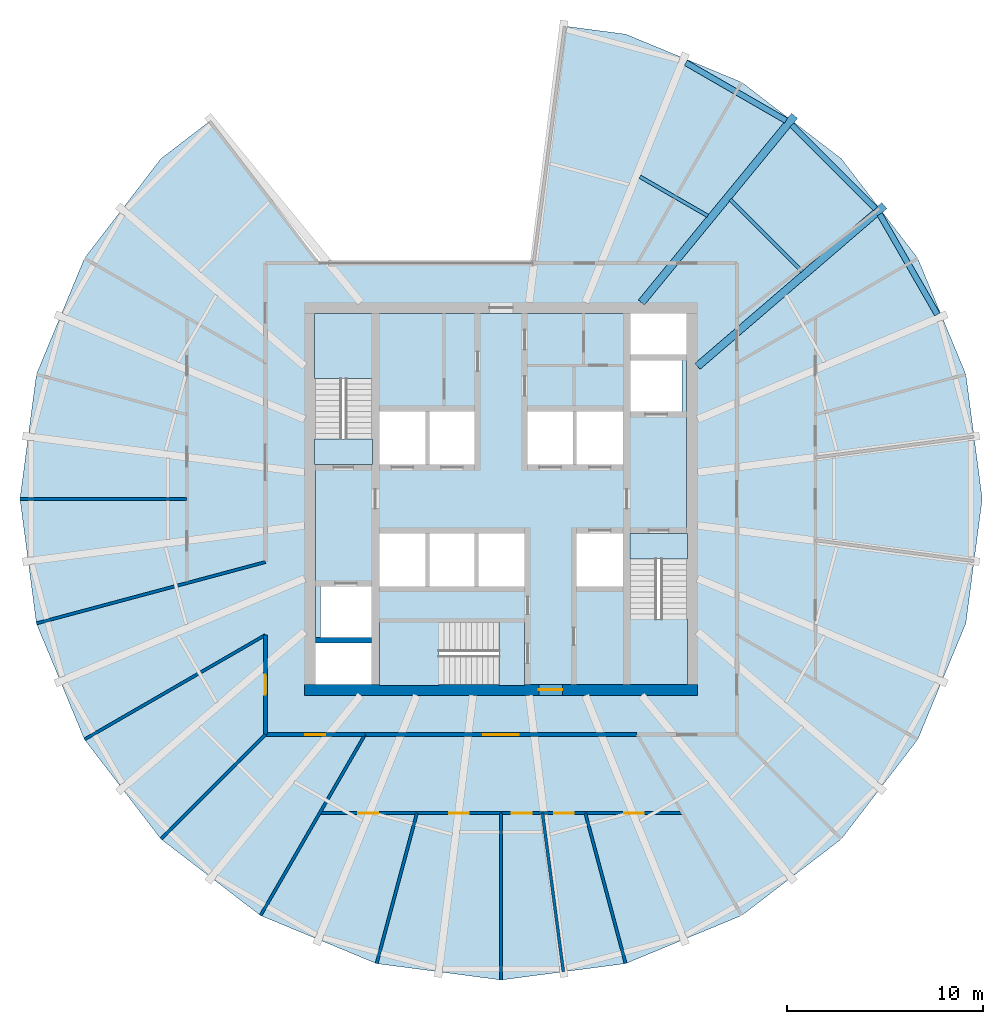
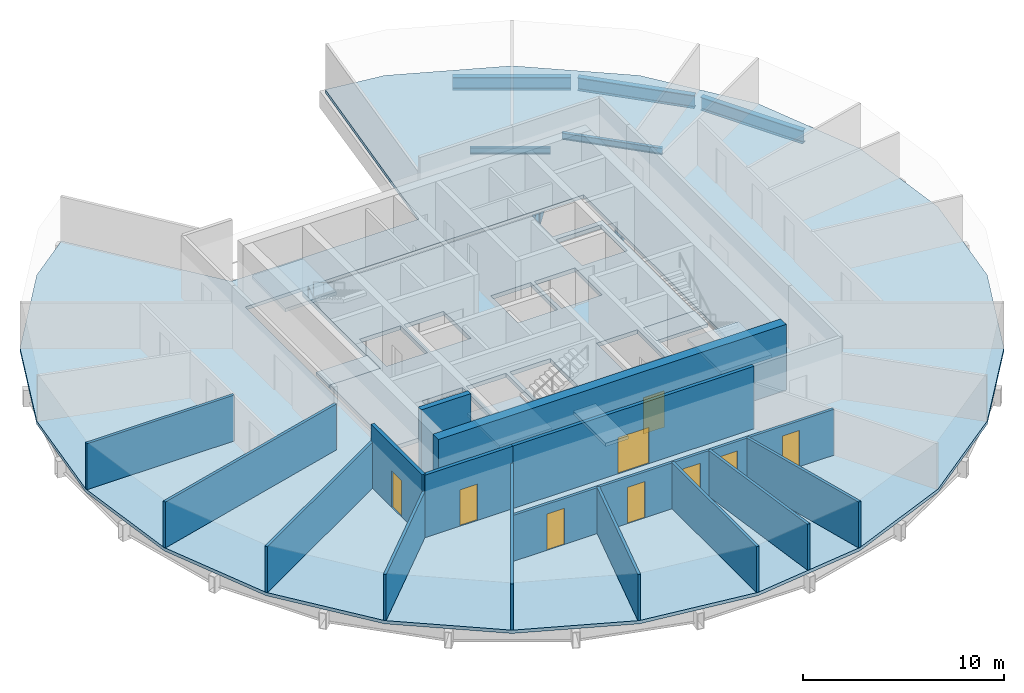
# One storey, part 2 of 6: 15 walls, 9 doors, 8 slabs, 7 beams, 9 openings, 3 elements without a shape of their own.
"""IFC4 building model written with IfcOpenShell, lengths in metres."""

from ifc_helpers import new_model, si_unit, direction, frame, frame_2d, origin, origin_2d, place, context, subcontext, project, spatial, polyline, rectangle, hollow_rectangle, i_section, outline, extrude, material, layer, layer_set, material_profile, profile_set, type_object, element, fill, aggregate, save


model = new_model("IFC4")

# Units and contexts
model_context = context("Model", 3, precision=1e-05, world=origin(), true_north=direction((0.0, 1.0)))
body_context = subcontext(model_context, "Body", "Model", "MODEL_VIEW")
ifc_project = project(units=[si_unit("LENGTHUNIT", "METRE"), si_unit("AREAUNIT", "SQUARE_METRE"), si_unit("VOLUMEUNIT", "CUBIC_METRE"), si_unit("PLANEANGLEUNIT", "RADIAN"), si_unit("MASSUNIT", "GRAM", prefix="KILO")], contexts=[model_context])

# Site, building, storey
site_placement = place(None, origin())
site = spatial("IfcSite", under=ifc_project, at=site_placement, CompositionType="ELEMENT")
building_placement = place(site_placement, origin())
building = spatial("IfcBuilding", under=site, at=building_placement, Name="Golbaran Civic Tower", CompositionType="ELEMENT")
storey_placement = place(building_placement, frame((0.0, 0.0, 110.0)))
storey = spatial("IfcBuildingStorey", under=building, at=storey_placement, Name="L26", CompositionType="ELEMENT", Elevation=110.0)

# Beams
ifc_material_1 = material(Name="Steel S355", Category="steel")
ifc_material_profile_1 = material_profile(ifc_material_1, i_section(OverallWidth=0.300048828125, OverallDepth=0.800048828125, WebThickness=0.017578125, FlangeThickness=0.032958984375, FilletRadius=0.030029296875, at=origin_2d()), Name="HEB 800")
ifc_profile_set_1 = profile_set([ifc_material_profile_1], Name="Steel S355")
beam_type_1 = type_object("IfcBeamType", Name="EDGE BEAM HEB 800", PredefinedType="BEAM", material=ifc_profile_set_1)
beam_1_placement = place(storey_placement, frame((22.2119140625, 9.389404296875, -0.60009765625), z_axis=(-0.498857735231, 0.866683887009, 0.0), x_axis=(-0.866683887009, -0.498857735231, 0.0)))
element("IfcBeam", 1, at=beam_1_placement, inside=storey, type_object=beam_type_1, Name="Edge beam 22.50 L26", PredefinedType="BEAM", context=body_context, shape_type="SweptSolid", body=[
    extrude(i_section(OverallWidth=0.300048828125, OverallDepth=0.800048828125, WebThickness=0.017578125, FlangeThickness=0.032958984375, FilletRadius=0.030029296875, at=origin_2d()), origin(), (0.0, 0.0, 1.0), 5.884033203125),
])
beam_2_placement = place(storey_placement, frame((19.0576171875, 14.775390625, -0.60009765625), z_axis=(-0.706742408007, 0.707470966701, 0.0), x_axis=(-0.707470966701, -0.706742408007, 0.0)))
element("IfcBeam", 2, at=beam_2_placement, inside=storey, type_object=beam_type_1, Name="Edge beam 37.50 L26", PredefinedType="BEAM", context=body_context, shape_type="SweptSolid", body=[
    extrude(i_section(OverallWidth=0.300048828125, OverallDepth=0.800048828125, WebThickness=0.017578125, FlangeThickness=0.032958984375, FilletRadius=0.030029296875, at=origin_2d()), origin(), (0.0, 0.0, 1.0), 6.03173828125),
])
beam_3_placement = place(storey_placement, frame((14.5087890625, 19.26171875, -0.60009765625), z_axis=(-0.866273170257, 0.499570610118, 0.0), x_axis=(-0.499570610118, -0.866273170257, 0.0)))
element("IfcBeam", 3, at=beam_3_placement, inside=storey, type_object=beam_type_1, Name="Edge beam 52.50 L26", PredefinedType="BEAM", context=body_context, shape_type="SweptSolid", body=[
    extrude(i_section(OverallWidth=0.300048828125, OverallDepth=0.800048828125, WebThickness=0.017578125, FlangeThickness=0.032958984375, FilletRadius=0.030029296875, at=origin_2d()), origin(), (0.0, 0.0, 1.0), 5.892822265625),
])
ifc_material_profile_2 = material_profile(ifc_material_1, i_section(OverallWidth=0.179931640625, OverallDepth=0.39990234375, WebThickness=0.008544921875, FlangeThickness=0.013427734375, FilletRadius=0.02099609375, at=origin_2d()), Name="IPE 400")
ifc_profile_set_2 = profile_set([ifc_material_profile_2], Name="Steel S355")
beam_type_2 = type_object("IfcBeamType", Name="FLOOR INFILL BEAM IPE 400", PredefinedType="BEAM", material=ifc_profile_set_2)
beam_4_placement = place(storey_placement, frame((15.33935546875, 11.578369140625, -0.39990234375), z_axis=(-0.707130343951, 0.707083217637, 0.0), x_axis=(-0.707083217637, -0.707130343951, 0.0)))
element("IfcBeam", 4, at=beam_4_placement, inside=storey, type_object=beam_type_2, Name="Infill beam 45.00 L26", PredefinedType="BEAM", context=body_context, shape_type="SweptSolid", body=[
    extrude(i_section(OverallWidth=0.179931640625, OverallDepth=0.39990234375, WebThickness=0.008544921875, FlangeThickness=0.013427734375, FilletRadius=0.02099609375, at=origin_2d()), origin(), (0.0, 0.0, 1.0), 5.1806640625),
])
beam_5_placement = place(storey_placement, frame((10.5263671875, 14.40771484375, -0.39990234375), z_axis=(-0.86602082383, 0.50000793263, 0.0), x_axis=(-0.50000793263, -0.86602082383, 0.0)))
element("IfcBeam", 5, at=beam_5_placement, inside=storey, type_object=beam_type_2, Name="Infill beam 60.00 L26", PredefinedType="BEAM", context=body_context, shape_type="SweptSolid", body=[
    extrude(i_section(OverallWidth=0.179931640625, OverallDepth=0.39990234375, WebThickness=0.008544921875, FlangeThickness=0.013427734375, FilletRadius=0.02099609375, at=origin_2d()), origin(), (0.0, 0.0, 1.0), 3.99755859375),
])
ifc_material_profile_3 = material_profile(ifc_material_1, hollow_rectangle(XDim=0.39990234375, YDim=1.0, WallThickness=0.0400390625, at=origin_2d()), Name="BOX 1000x400x40")
ifc_profile_set_3 = profile_set([ifc_material_profile_3], Name="Steel S355")
beam_type_3 = type_object("IfcBeamType", Name="RADIAL FLOOR BEAM BOX 1000x400x40", PredefinedType="BEAM", material=ifc_profile_set_3)
beam_6_placement = place(storey_placement, frame((10.0, 6.75, -0.7099609375), z_axis=(0.758248875451, 0.651965216003, 0.0), x_axis=(-0.651965216003, 0.758248875451, 0.0)))
element("IfcBeam", 6, at=beam_6_placement, inside=storey, type_object=beam_type_3, Name="Radial beam 37.50 L26", PredefinedType="BEAM", context=body_context, shape_type="SweptSolid", body=[
    extrude(hollow_rectangle(XDim=0.39990234375, YDim=1.0, WallThickness=0.0400390625, at=origin_2d()), origin(), (0.0, 0.0, 1.0), 12.546630859375),
])
beam_7_placement = place(storey_placement, frame((7.142822265625, 10.0, -0.7099609375), z_axis=(0.634290441459, 0.773094842742, 0.0), x_axis=(-0.773094842742, 0.634290441459, 0.0)))
element("IfcBeam", 7, at=beam_7_placement, inside=storey, type_object=beam_type_3, Name="Radial beam 52.50 L26", PredefinedType="BEAM", context=body_context, shape_type="SweptSolid", body=[
    extrude(hollow_rectangle(XDim=0.39990234375, YDim=1.0, WallThickness=0.0400390625, at=origin_2d()), origin(), (0.0, 0.0, 1.0), 12.294677734375),
])

# Slabs
ifc_material_2 = material(Name="Concrete LC30/33 lightweight on steel deck", Category="concrete")
ifc_layer_1 = layer(ifc_material_2, 0.199951171875, Name="Concrete LC30/33 lightweight on steel deck")
ifc_layer_set_1 = layer_set([ifc_layer_1], Name="Concrete LC30/33 lightweight on steel deck")
slab_type_1 = type_object("IfcSlabType", Name="COMPOSITE FLOOR SLAB 200", PredefinedType="FLOOR", material=ifc_layer_set_1)
slab_1_placement = place(storey_placement, frame((0.0, 0.0, -0.199951171875)))
element("IfcSlab", 8, at=slab_1_placement, inside=storey, type_object=slab_type_1, Name="Floor slab L26", PredefinedType="FLOOR", context=body_context, shape_type="SweptSolid", body=[
    extrude(outline(polyline([(17.322265625, -17.322265625), (12.24853515625, -21.21533203125), (6.34033203125, -23.66259765625), (0.0, -24.497314453125), (-6.34033203125, -23.66259765625), (-12.24853515625, -21.21533203125), (-17.322265625, -17.322265625), (-21.21533203125, -12.24853515625), (-23.66259765625, -6.34033203125), (-24.497314453125, 0.0), (-23.66259765625, 6.34033203125), (-21.21533203125, 12.24853515625), (-17.322265625, 17.322265625), (-14.784912109375, 19.269287109375), (-9.207275390625, 12.0), (1.579345703125, 12.0), (3.16943359375, 24.080078125), (6.34033203125, 23.66259765625), (12.24853515625, 21.21533203125), (17.322265625, 17.322265625), (21.21533203125, 12.24853515625), (23.66259765625, 6.34033203125), (24.497314453125, 0.0), (23.66259765625, -6.34033203125), (21.21533203125, -12.24853515625), (17.322265625, -17.322265625)]), holes=[polyline([(-9.72509765625, -9.72509765625), (9.72509765625, -9.72509765625), (9.72509765625, 9.72509765625), (-9.72509765625, 9.72509765625), (-9.72509765625, -9.72509765625)])]), origin(), (0.0, 0.0, 1.0), 0.199951171875),
])
ifc_material_3 = material(Name="Concrete C35/45", Category="concrete")
ifc_layer_2 = layer(ifc_material_3, 0.25, Name="Concrete C35/45")
ifc_layer_set_2 = layer_set([ifc_layer_2], Name="Concrete C35/45")
slab_type_2 = type_object("IfcSlabType", Name="CORE FLOOR SLAB 250", PredefinedType="FLOOR", material=ifc_layer_set_2)
slab_2_placement = place(storey_placement, frame((0.0, 0.0, -0.25)))
element("IfcSlab", 9, at=slab_2_placement, inside=storey, type_object=slab_type_2, Name="Core floor slab L26", PredefinedType="FLOOR", context=body_context, shape_type="SweptSolid", body=[
    extrude(outline(polyline([(6.60009765625, -1.75), (6.60009765625, -9.449951171875), (1.199951171875, -9.449951171875), (1.199951171875, -6.300048828125), (-6.199951171875, -6.300048828125), (-6.199951171875, -9.449951171875), (-6.60009765625, -9.449951171875), (-6.60009765625, -7.35009765625), (-9.449951171875, -7.35009765625), (-9.449951171875, 1.75), (-6.60009765625, 1.75), (-6.60009765625, 9.449951171875), (6.60009765625, 9.449951171875), (6.60009765625, 7.35009765625), (9.449951171875, 7.35009765625), (9.449951171875, -1.75), (6.60009765625, -1.75)]), holes=[polyline([(9.199951171875, 7.050048828125), (6.60009765625, 7.050048828125), (6.60009765625, 4.449951171875), (9.199951171875, 4.449951171875), (9.199951171875, 7.050048828125)]), polyline([(6.199951171875, -1.75), (3.85009765625, -1.75), (3.85009765625, -4.449951171875), (6.199951171875, -4.449951171875), (6.199951171875, -1.75)]), polyline([(6.199951171875, 4.449951171875), (3.85009765625, 4.449951171875), (3.85009765625, 1.75), (6.199951171875, 1.75), (6.199951171875, 4.449951171875)]), polyline([(3.64990234375, 4.449951171875), (1.35009765625, 4.449951171875), (1.35009765625, 1.75), (3.64990234375, 1.75), (3.64990234375, 4.449951171875)]), polyline([(1.199951171875, -1.75), (-1.14990234375, -1.75), (-1.14990234375, -4.449951171875), (1.199951171875, -4.449951171875), (1.199951171875, -1.75)]), polyline([(-1.35009765625, 4.449951171875), (-3.64990234375, 4.449951171875), (-3.64990234375, 1.75), (-1.35009765625, 1.75), (-1.35009765625, 4.449951171875)]), polyline([(-1.35009765625, -1.75), (-3.64990234375, -1.75), (-3.64990234375, -4.449951171875), (-1.35009765625, -4.449951171875), (-1.35009765625, -1.75)]), polyline([(-3.85009765625, -1.75), (-6.199951171875, -1.75), (-6.199951171875, -4.449951171875), (-3.85009765625, -4.449951171875), (-3.85009765625, -1.75)]), polyline([(-3.85009765625, 4.449951171875), (-6.199951171875, 4.449951171875), (-6.199951171875, 1.75), (-3.85009765625, 1.75), (-3.85009765625, 4.449951171875)]), polyline([(-6.60009765625, -4.449951171875), (-9.199951171875, -4.449951171875), (-9.199951171875, -7.050048828125), (-6.60009765625, -7.050048828125), (-6.60009765625, -4.449951171875)])]), origin(), (0.0, 0.0, 1.0), 0.25),
])

# Stair, slab
stair_type_1 = type_object("IfcStairType", Name="EXIT STAIR 2850 x 7700, 4000 RISE", PredefinedType="HALF_TURN_STAIR", material=ifc_material_3)
stair_1_placement = place(storey_placement, origin())
stair_1 = element("IfcStair", 10, at=stair_1_placement, inside=storey, type_object=stair_type_1, Name="Stair S1 L26", PredefinedType="HALF_TURN_STAIR")
ifc_layer_3 = layer(ifc_material_3, 0.199951171875, Name="Concrete C35/45")
ifc_layer_set_3 = layer_set([ifc_layer_3], Name="Concrete C35/45")
slab_type_3 = type_object("IfcSlabType", Name="STAIR LANDING 200", PredefinedType="LANDING", material=ifc_layer_set_3)
slab_3_placement = place(storey_placement, frame((0.0, 0.0, 1.800048828125)))
slab_3 = element("IfcSlab", 11, at=slab_3_placement, type_object=slab_type_3, Name="ST28577-40 landing 1", PredefinedType="LANDING", context=body_context, shape_type="SweptSolid", body=[
    extrude(outline(polyline([(-9.5, 6.125), (-9.5, 9.449951171875), (-6.550048828125, 9.449951171875), (-6.550048828125, 6.125), (-9.5, 6.125)])), origin(), (0.0, 0.0, 1.0), 0.199951171875),
])
aggregate(stair_1, [slab_3])

# Slab
slab_4_placement = place(storey_placement, frame((0.0, 0.0, -0.199951171875)))
element("IfcSlab", 12, at=slab_4_placement, inside=storey, type_object=slab_type_3, Name="Stair S1 floor landing L26", PredefinedType="LANDING", context=body_context, shape_type="SweptSolid", body=[
    extrude(outline(polyline([(-9.5, 1.75), (-9.5, 3.054931640625), (-6.550048828125, 3.054931640625), (-6.550048828125, 1.75), (-9.5, 1.75)])), origin(), (0.0, 0.0, 1.0), 0.199951171875),
])

# Stair, slab
stair_2_placement = place(storey_placement, origin())
stair_2 = element("IfcStair", 13, at=stair_2_placement, inside=storey, type_object=stair_type_1, Name="Stair S2 L26", PredefinedType="HALF_TURN_STAIR")
slab_5_placement = place(storey_placement, frame((0.0, 0.0, 1.800048828125)))
slab_5 = element("IfcSlab", 14, at=slab_5_placement, type_object=slab_type_3, Name="ST28577-40 landing 1", PredefinedType="LANDING", context=body_context, shape_type="SweptSolid", body=[
    extrude(outline(polyline([(9.5, -6.125), (9.5, -9.449951171875), (6.550048828125, -9.449951171875), (6.550048828125, -6.125), (9.5, -6.125)])), origin(), (0.0, 0.0, 1.0), 0.199951171875),
])
aggregate(stair_2, [slab_5])

# Slab
slab_6_placement = place(storey_placement, frame((0.0, 0.0, -0.199951171875)))
element("IfcSlab", 15, at=slab_6_placement, inside=storey, type_object=slab_type_3, Name="Stair S2 floor landing L26", PredefinedType="LANDING", context=body_context, shape_type="SweptSolid", body=[
    extrude(outline(polyline([(9.5, -1.75), (9.5, -3.054931640625), (6.550048828125, -3.054931640625), (6.550048828125, -1.75), (9.5, -1.75)])), origin(), (0.0, 0.0, 1.0), 0.199951171875),
])

# Stair, slab
stair_type_2 = type_object("IfcStairType", Name="EXIT STAIR 3150 x 7400, 4000 RISE", PredefinedType="HALF_TURN_STAIR", material=ifc_material_3)
stair_3_placement = place(storey_placement, origin())
stair_3 = element("IfcStair", 16, at=stair_3_placement, inside=storey, type_object=stair_type_2, Name="Stair S3 L26", PredefinedType="HALF_TURN_STAIR")
slab_7_placement = place(storey_placement, frame((0.0, 0.0, 1.800048828125)))
slab_7 = element("IfcSlab", 17, at=slab_7_placement, type_object=slab_type_3, Name="ST31574-40 landing 1", PredefinedType="LANDING", context=body_context, shape_type="SweptSolid", body=[
    extrude(outline(polyline([(-3.175048828125, -9.5), (-6.199951171875, -9.5), (-6.199951171875, -6.25), (-3.175048828125, -6.25), (-3.175048828125, -9.5)])), origin(), (0.0, 0.0, 1.0), 0.199951171875),
])
aggregate(stair_3, [slab_7])

# Slab
slab_8_placement = place(storey_placement, frame((0.0, 0.0, -0.199951171875)))
element("IfcSlab", 18, at=slab_8_placement, inside=storey, type_object=slab_type_3, Name="Stair S3 floor landing L26", PredefinedType="LANDING", context=body_context, shape_type="SweptSolid", body=[
    extrude(outline(polyline([(1.199951171875, -9.5), (-0.10498046875, -9.5), (-0.10498046875, -6.25), (1.199951171875, -6.25), (1.199951171875, -9.5)])), origin(), (0.0, 0.0, 1.0), 0.199951171875),
])

# Wall, opening, door
ifc_material_4 = material(Name="Concrete C50/60", Category="concrete")
ifc_layer_4 = layer(ifc_material_4, 0.550048828125, Name="Concrete C50/60")
ifc_layer_set_4 = layer_set([ifc_layer_4], Name="Concrete C50/60")
wall_type_1 = type_object("IfcWallType", Name="CORE WALL CONCRETE 550", PredefinedType="SOLIDWALL", material=ifc_layer_set_4)
wall_1_placement = place(storey_placement, frame((10.0, -9.72509765625, 0.0), z_axis=(0.0, 0.0, 1.0), x_axis=(-1.0, 0.0, 0.0)))
wall_1 = element("IfcWall", 19, at=wall_1_placement, inside=storey, type_object=wall_type_1, Name="Core wall CS L26", PredefinedType="SOLIDWALL", context=body_context, shape_type="SweptSolid", body=[
    extrude(rectangle(XDim=20.0, YDim=0.550048828125, at=frame_2d((10.0, 0.0))), origin(), (0.0, 0.0, 1.0), 4.0),
])
opening_1_placement = place(wall_1_placement, frame((6.875, 0.0, 0.0)))
opening_1 = element("IfcOpeningElement", 20, at=opening_1_placement, cuts=wall_1, Name="Opening L26.CS", PredefinedType="OPENING", context=body_context, shape_type="SweptSolid", body=[
    extrude(rectangle(XDim=1.199951171875, YDim=2.199951171875, at=frame_2d((0.60009765625, 1.10009765625))), frame((0.0, 0.284912109375, 0.0), z_axis=(0.0, -1.0, 0.0), x_axis=(1.0, 0.0, 0.0)), (0.0, 0.0, 1.0), 0.570068359375),
])
ifc_material_5 = material(Name="Timber door set in steel frame", Category="steel")
door_type_1 = type_object("IfcDoorType", Name="CORE DOOR 1200x2200", OperationType="DOUBLE_DOOR_SINGLE_SWING", PredefinedType="DOOR", material=ifc_material_5)
door_1_placement = place(opening_1_placement, origin())
door_1 = element("IfcDoor", 21, at=door_1_placement, inside=storey, type_object=door_type_1, Name="Core door south", OperationType="DOUBLE_DOOR_SINGLE_SWING", OverallHeight=2.199951171875, OverallWidth=1.199951171875, PredefinedType="DOOR", context=body_context, shape_type="SweptSolid", body=[
    extrude(rectangle(XDim=1.199951171875, YDim=2.199951171875, at=frame_2d((0.60009765625, 1.10009765625))), frame((0.0, 0.02490234375, 0.0), z_axis=(0.0, -1.0, 0.0), x_axis=(1.0, 0.0, 0.0)), (0.0, 0.0, 1.0), 0.050048828125),
])
fill(opening_1, door_1)

ifc_material_6 = material(Name="Gypsum board on steel studs, fire-rated", Category="steel")
ifc_layer_5 = layer(ifc_material_6, 0.199951171875, Name="Gypsum board on steel studs, fire-rated")
ifc_layer_set_5 = layer_set([ifc_layer_5], Name="Gypsum board on steel studs, fire-rated")
wall_type_2 = type_object("IfcWallType", Name="CORRIDOR WALL 200", PredefinedType="PARTITIONING", material=ifc_layer_set_5)
wall_2_placement = place(storey_placement, frame((-12.0, -6.92822265625, 0.0), z_axis=(0.0, 0.0, 1.0), x_axis=(0.0, -1.0, 0.0)))
wall_2 = element("IfcWall", 22, at=wall_2_placement, inside=storey, type_object=wall_type_2, Name="Corridor wall L26", PredefinedType="PARTITIONING", context=body_context, shape_type="SweptSolid", body=[
    extrude(rectangle(XDim=5.07177734375, YDim=0.199951171875, at=frame_2d((2.535888671875, 0.0))), origin(), (0.0, 0.0, 1.0), 3.800048828125),
])
opening_2_placement = place(wall_2_placement, frame((2.035888671875, 0.0, 0.0)))
opening_2 = element("IfcOpeningElement", 23, at=opening_2_placement, cuts=wall_2, Name="Opening L26.20", PredefinedType="OPENING", context=body_context, shape_type="SweptSolid", body=[
    extrude(rectangle(XDim=1.0, YDim=2.199951171875, at=frame_2d((0.5, 1.10009765625))), frame((0.0, 0.10986328125, 0.0), z_axis=(0.0, -1.0, 0.0), x_axis=(1.0, 0.0, 0.0)), (0.0, 0.0, 1.0), 0.219970703125),
])
door_type_2 = type_object("IfcDoorType", Name="OFFICE DOOR 1000x2200", OperationType="SINGLE_SWING_LEFT", PredefinedType="DOOR", material=ifc_material_5)
door_2_placement = place(opening_2_placement, origin())
door_2 = element("IfcDoor", 24, at=door_2_placement, inside=storey, type_object=door_type_2, Name="File Room door L26", OperationType="SINGLE_SWING_RIGHT", OverallHeight=2.199951171875, OverallWidth=1.0, PredefinedType="DOOR", context=body_context, shape_type="SweptSolid", body=[
    extrude(rectangle(XDim=1.0, YDim=2.199951171875, at=frame_2d((0.5, 1.10009765625))), frame((0.0, 0.02490234375, 0.0), z_axis=(0.0, -1.0, 0.0), x_axis=(1.0, 0.0, 0.0)), (0.0, 0.0, 1.0), 0.050048828125),
])
fill(opening_2, door_2)

wall_3_placement = place(storey_placement, frame((-12.0, -12.0, 0.0), z_axis=(0.0, 0.0, 1.0), x_axis=(1.0, 0.0, 0.0)))
wall_3 = element("IfcWall", 25, at=wall_3_placement, inside=storey, type_object=wall_type_2, Name="Corridor wall L26", PredefinedType="PARTITIONING", context=body_context, shape_type="SweptSolid", body=[
    extrude(rectangle(XDim=5.07177734375, YDim=0.199951171875, at=frame_2d((2.535888671875, 0.0))), origin(), (0.0, 0.0, 1.0), 3.800048828125),
])
opening_3_placement = place(wall_3_placement, frame((2.035888671875, 0.0, 0.0)))
opening_3 = element("IfcOpeningElement", 26, at=opening_3_placement, cuts=wall_3, Name="Opening L26.21", PredefinedType="OPENING", context=body_context, shape_type="SweptSolid", body=[
    extrude(rectangle(XDim=1.0, YDim=2.199951171875, at=frame_2d((0.5, 1.10009765625))), frame((0.0, 0.10986328125, 0.0), z_axis=(0.0, -1.0, 0.0), x_axis=(1.0, 0.0, 0.0)), (0.0, 0.0, 1.0), 0.219970703125),
])
door_3_placement = place(opening_3_placement, origin())
door_3 = element("IfcDoor", 27, at=door_3_placement, inside=storey, type_object=door_type_2, Name="Meeting Room door L26", OperationType="SINGLE_SWING_LEFT", OverallHeight=2.199951171875, OverallWidth=1.0, PredefinedType="DOOR", context=body_context, shape_type="SweptSolid", body=[
    extrude(rectangle(XDim=1.0, YDim=2.199951171875, at=frame_2d((0.5, 1.10009765625))), frame((0.0, 0.02490234375, 0.0), z_axis=(0.0, -1.0, 0.0), x_axis=(1.0, 0.0, 0.0)), (0.0, 0.0, 1.0), 0.050048828125),
])
fill(opening_3, door_3)

wall_4_placement = place(storey_placement, frame((-6.92822265625, -12.0, 0.0), z_axis=(0.0, 0.0, 1.0), x_axis=(1.0, 0.0, 0.0)))
wall_4 = element("IfcWall", 28, at=wall_4_placement, inside=storey, type_object=wall_type_2, Name="Corridor wall L26", PredefinedType="PARTITIONING", context=body_context, shape_type="SweptSolid", body=[
    extrude(rectangle(XDim=13.8564453125, YDim=0.199951171875, at=frame_2d((6.92822265625, 0.0))), origin(), (0.0, 0.0, 1.0), 3.800048828125),
])
opening_4_placement = place(wall_4_placement, frame((6.0283203125, 0.0, 0.0)))
opening_4 = element("IfcOpeningElement", 29, at=opening_4_placement, cuts=wall_4, Name="Opening L26.22", PredefinedType="OPENING", context=body_context, shape_type="SweptSolid", body=[
    extrude(rectangle(XDim=1.800048828125, YDim=2.199951171875, at=frame_2d((0.89990234375, 1.10009765625))), frame((0.0, 0.10986328125, 0.0), z_axis=(0.0, -1.0, 0.0), x_axis=(1.0, 0.0, 0.0)), (0.0, 0.0, 1.0), 0.219970703125),
])
door_type_3 = type_object("IfcDoorType", Name="OFFICE DOUBLE DOOR 1800x2200", OperationType="DOUBLE_DOOR_SINGLE_SWING", PredefinedType="DOOR", material=ifc_material_5)
door_4_placement = place(opening_4_placement, origin())
door_4 = element("IfcDoor", 30, at=door_4_placement, inside=storey, type_object=door_type_3, Name="Secretariat door L26", OperationType="DOUBLE_DOOR_SINGLE_SWING", OverallHeight=2.199951171875, OverallWidth=1.800048828125, PredefinedType="DOOR", context=body_context, shape_type="SweptSolid", body=[
    extrude(rectangle(XDim=1.800048828125, YDim=2.199951171875, at=frame_2d((0.89990234375, 1.10009765625))), frame((0.0, 0.02490234375, 0.0), z_axis=(0.0, -1.0, 0.0), x_axis=(1.0, 0.0, 0.0)), (0.0, 0.0, 1.0), 0.050048828125),
])
fill(opening_4, door_4)

# Walls
ifc_material_7 = material(Name="Gypsum board on steel studs", Category="steel")
ifc_layer_6 = layer(ifc_material_7, 0.14990234375, Name="Gypsum board on steel studs")
ifc_layer_set_6 = layer_set([ifc_layer_6], Name="Gypsum board on steel studs")
wall_type_3 = type_object("IfcWallType", Name="OFFICE PARTITION 150", PredefinedType="PARTITIONING", material=ifc_layer_set_6)
wall_5_placement = place(storey_placement, frame((-12.0, -3.21533203125, 0.0), z_axis=(0.0, 0.0, 1.0), x_axis=(-0.965926913807, -0.258814986396, 0.0)))
element("IfcWall", 31, at=wall_5_placement, inside=storey, type_object=wall_type_3, Name="Partition 195 L26", PredefinedType="PARTITIONING", context=body_context, shape_type="SweptSolid", body=[
    extrude(rectangle(XDim=12.06396484375, YDim=0.14990234375, at=frame_2d((6.031982421875, 0.0))), origin(), (0.0, 0.0, 1.0), 2.7900390625),
])
wall_6_placement = place(storey_placement, frame((-12.0, -6.92822265625, 0.0), z_axis=(0.0, 0.0, 1.0), x_axis=(-0.866024197053, -0.500002090115, 0.0)))
element("IfcWall", 32, at=wall_6_placement, inside=storey, type_object=wall_type_3, Name="Partition 210 L26", PredefinedType="PARTITIONING", context=body_context, shape_type="SweptSolid", body=[
    extrude(rectangle(XDim=10.630859375, YDim=0.14990234375, at=frame_2d((5.3154296875, 0.0))), origin(), (0.0, 0.0, 1.0), 2.7900390625),
])
wall_7_placement = place(storey_placement, frame((-12.0, -12.0, 0.0), z_axis=(0.0, 0.0, 1.0), x_axis=(-0.707106781187, -0.707106781187, 0.0)))
element("IfcWall", 33, at=wall_7_placement, inside=storey, type_object=wall_type_3, Name="Partition 225 L26", PredefinedType="PARTITIONING", context=body_context, shape_type="SweptSolid", body=[
    extrude(rectangle(XDim=7.516845703125, YDim=0.14990234375, at=frame_2d((3.75830078125, 0.0))), origin(), (0.0, 0.0, 1.0), 2.7900390625),
])
wall_8_placement = place(storey_placement, frame((-6.92822265625, -12.0, 0.0), z_axis=(0.0, 0.0, 1.0), x_axis=(-0.500002090115, -0.866024197053, 0.0)))
element("IfcWall", 34, at=wall_8_placement, inside=storey, type_object=wall_type_3, Name="Partition 240 L26", PredefinedType="PARTITIONING", context=body_context, shape_type="SweptSolid", body=[
    extrude(rectangle(XDim=10.630859375, YDim=0.14990234375, at=frame_2d((5.3154296875, 0.0))), origin(), (0.0, 0.0, 1.0), 2.7900390625),
])
wall_9_placement = place(storey_placement, frame((-16.0, 0.0, 0.0), z_axis=(0.0, 0.0, 1.0), x_axis=(-1.0, 0.0, 0.0)))
element("IfcWall", 35, at=wall_9_placement, inside=storey, type_object=wall_type_3, Name="Partition 180 L26", PredefinedType="PARTITIONING", context=body_context, shape_type="SweptSolid", body=[
    extrude(rectangle(XDim=8.4873046875, YDim=0.14990234375, at=frame_2d((4.24365234375, 0.0))), origin(), (0.0, 0.0, 1.0), 2.7900390625),
])

# Wall, openings, doors
wall_10_placement = place(storey_placement, frame((-9.237548828125, -16.0, 0.0), z_axis=(0.0, 0.0, 1.0), x_axis=(1.0, 0.0, 0.0)))
wall_10 = element("IfcWall", 36, at=wall_10_placement, inside=storey, type_object=wall_type_3, Name="Suite partition L26", PredefinedType="PARTITIONING", context=body_context, shape_type="SweptSolid", body=[
    extrude(rectangle(XDim=18.47509765625, YDim=0.14990234375, at=frame_2d((9.237548828125, 0.0))), origin(), (0.0, 0.0, 1.0), 2.7900390625),
])
opening_5_placement = place(wall_10_placement, frame((1.97509765625, 0.0, 0.0)))
opening_5 = element("IfcOpeningElement", 37, at=opening_5_placement, cuts=wall_10, Name="Opening L26.08", PredefinedType="OPENING", context=body_context, shape_type="SweptSolid", body=[
    extrude(rectangle(XDim=1.0, YDim=2.199951171875, at=frame_2d((0.5, 1.10009765625))), frame((0.0, 0.0849609375, 0.0), z_axis=(0.0, -1.0, 0.0), x_axis=(1.0, 0.0, 0.0)), (0.0, 0.0, 1.0), 0.169921875),
])
opening_6_placement = place(wall_10_placement, frame((6.593994140625, 0.0, 0.0)))
opening_6 = element("IfcOpeningElement", 38, at=opening_6_placement, cuts=wall_10, Name="Opening L26.09", PredefinedType="OPENING", context=body_context, shape_type="SweptSolid", body=[
    extrude(rectangle(XDim=1.0, YDim=2.199951171875, at=frame_2d((0.5, 1.10009765625))), frame((0.0, 0.0849609375, 0.0), z_axis=(0.0, -1.0, 0.0), x_axis=(1.0, 0.0, 0.0)), (0.0, 0.0, 1.0), 0.169921875),
])
opening_7_placement = place(wall_10_placement, frame((9.790771484375, 0.0, 0.0)))
opening_7 = element("IfcOpeningElement", 39, at=opening_7_placement, cuts=wall_10, Name="Opening L26.10", PredefinedType="OPENING", context=body_context, shape_type="SweptSolid", body=[
    extrude(rectangle(XDim=1.0, YDim=2.199951171875, at=frame_2d((0.5, 1.10009765625))), frame((0.0, 0.0849609375, 0.0), z_axis=(0.0, -1.0, 0.0), x_axis=(1.0, 0.0, 0.0)), (0.0, 0.0, 1.0), 0.169921875),
])
opening_8_placement = place(wall_10_placement, frame((11.934326171875, 0.0, 0.0)))
opening_8 = element("IfcOpeningElement", 40, at=opening_8_placement, cuts=wall_10, Name="Opening L26.11", PredefinedType="OPENING", context=body_context, shape_type="SweptSolid", body=[
    extrude(rectangle(XDim=1.0, YDim=2.199951171875, at=frame_2d((0.5, 1.10009765625))), frame((0.0, 0.0849609375, 0.0), z_axis=(0.0, -1.0, 0.0), x_axis=(1.0, 0.0, 0.0)), (0.0, 0.0, 1.0), 0.169921875),
])
opening_9_placement = place(wall_10_placement, frame((15.5, 0.0, 0.0)))
opening_9 = element("IfcOpeningElement", 41, at=opening_9_placement, cuts=wall_10, Name="Opening L26.12", PredefinedType="OPENING", context=body_context, shape_type="SweptSolid", body=[
    extrude(rectangle(XDim=1.0, YDim=2.199951171875, at=frame_2d((0.5, 1.10009765625))), frame((0.0, 0.0849609375, 0.0), z_axis=(0.0, -1.0, 0.0), x_axis=(1.0, 0.0, 0.0)), (0.0, 0.0, 1.0), 0.169921875),
])
door_5_placement = place(opening_5_placement, origin())
door_5 = element("IfcDoor", 42, at=door_5_placement, inside=storey, type_object=door_type_2, Name="Office door L26", OperationType="SINGLE_SWING_LEFT", OverallHeight=2.199951171875, OverallWidth=1.0, PredefinedType="DOOR", context=body_context, shape_type="SweptSolid", body=[
    extrude(rectangle(XDim=1.0, YDim=2.199951171875, at=frame_2d((0.5, 1.10009765625))), frame((0.0, 0.02490234375, 0.0), z_axis=(0.0, -1.0, 0.0), x_axis=(1.0, 0.0, 0.0)), (0.0, 0.0, 1.0), 0.050048828125),
])
fill(opening_5, door_5)
door_6_placement = place(opening_6_placement, origin())
door_6 = element("IfcDoor", 43, at=door_6_placement, inside=storey, type_object=door_type_2, Name="Director's Office door L26", OperationType="SINGLE_SWING_LEFT", OverallHeight=2.199951171875, OverallWidth=1.0, PredefinedType="DOOR", context=body_context, shape_type="SweptSolid", body=[
    extrude(rectangle(XDim=1.0, YDim=2.199951171875, at=frame_2d((0.5, 1.10009765625))), frame((0.0, 0.02490234375, 0.0), z_axis=(0.0, -1.0, 0.0), x_axis=(1.0, 0.0, 0.0)), (0.0, 0.0, 1.0), 0.050048828125),
])
fill(opening_6, door_6)
door_7_placement = place(opening_7_placement, origin())
door_7 = element("IfcDoor", 44, at=door_7_placement, inside=storey, type_object=door_type_2, Name="Office door L26", OperationType="SINGLE_SWING_RIGHT", OverallHeight=2.199951171875, OverallWidth=1.0, PredefinedType="DOOR", context=body_context, shape_type="SweptSolid", body=[
    extrude(rectangle(XDim=1.0, YDim=2.199951171875, at=frame_2d((0.5, 1.10009765625))), frame((0.0, 0.02490234375, 0.0), z_axis=(0.0, -1.0, 0.0), x_axis=(1.0, 0.0, 0.0)), (0.0, 0.0, 1.0), 0.050048828125),
])
fill(opening_7, door_7)
door_8_placement = place(opening_8_placement, origin())
door_8 = element("IfcDoor", 45, at=door_8_placement, inside=storey, type_object=door_type_2, Name="Office door L26", OperationType="SINGLE_SWING_RIGHT", OverallHeight=2.199951171875, OverallWidth=1.0, PredefinedType="DOOR", context=body_context, shape_type="SweptSolid", body=[
    extrude(rectangle(XDim=1.0, YDim=2.199951171875, at=frame_2d((0.5, 1.10009765625))), frame((0.0, 0.02490234375, 0.0), z_axis=(0.0, -1.0, 0.0), x_axis=(1.0, 0.0, 0.0)), (0.0, 0.0, 1.0), 0.050048828125),
])
fill(opening_8, door_8)
door_9_placement = place(opening_9_placement, origin())
door_9 = element("IfcDoor", 46, at=door_9_placement, inside=storey, type_object=door_type_2, Name="Director's Office door L26", OperationType="SINGLE_SWING_RIGHT", OverallHeight=2.199951171875, OverallWidth=1.0, PredefinedType="DOOR", context=body_context, shape_type="SweptSolid", body=[
    extrude(rectangle(XDim=1.0, YDim=2.199951171875, at=frame_2d((0.5, 1.10009765625))), frame((0.0, 0.02490234375, 0.0), z_axis=(0.0, -1.0, 0.0), x_axis=(1.0, 0.0, 0.0)), (0.0, 0.0, 1.0), 0.050048828125),
])
fill(opening_9, door_9)

# Walls
wall_11_placement = place(storey_placement, frame((-4.287109375, -16.0, 0.0), z_axis=(0.0, 0.0, 1.0), x_axis=(-0.258815152648, -0.965926869261, 0.0)))
element("IfcWall", 47, at=wall_11_placement, inside=storey, type_object=wall_type_3, Name="Partition 255 L26", PredefinedType="PARTITIONING", context=body_context, shape_type="SweptSolid", body=[
    extrude(rectangle(XDim=7.9228515625, YDim=0.14990234375, at=frame_2d((3.96142578125, 0.0))), origin(), (0.0, 0.0, 1.0), 2.7900390625),
])
wall_12_placement = place(storey_placement, frame((0.0, -16.0, 0.0), z_axis=(0.0, 0.0, 1.0), x_axis=(0.0, -1.0, 0.0)))
element("IfcWall", 48, at=wall_12_placement, inside=storey, type_object=wall_type_3, Name="Partition 270 L26", PredefinedType="PARTITIONING", context=body_context, shape_type="SweptSolid", body=[
    extrude(rectangle(XDim=8.4873046875, YDim=0.14990234375, at=frame_2d((4.24365234375, 0.0))), origin(), (0.0, 0.0, 1.0), 2.7900390625),
])
wall_13_placement = place(storey_placement, frame((2.1064453125, -16.0, 0.0), z_axis=(0.0, 0.0, 1.0), x_axis=(0.13053287573, -0.99144398145, 0.0)))
element("IfcWall", 49, at=wall_13_placement, inside=storey, type_object=wall_type_3, Name="Partition 277.5 L26", PredefinedType="PARTITIONING", context=body_context, shape_type="SweptSolid", body=[
    extrude(rectangle(XDim=8.1396484375, YDim=0.14990234375, at=frame_2d((4.06982421875, 0.0))), origin(), (0.0, 0.0, 1.0), 2.7900390625),
])
wall_14_placement = place(storey_placement, frame((4.287109375, -16.0, 0.0), z_axis=(0.0, 0.0, 1.0), x_axis=(0.258815152648, -0.965926869261, 0.0)))
element("IfcWall", 50, at=wall_14_placement, inside=storey, type_object=wall_type_3, Name="Partition 285 L26", PredefinedType="PARTITIONING", context=body_context, shape_type="SweptSolid", body=[
    extrude(rectangle(XDim=7.9228515625, YDim=0.14990234375, at=frame_2d((3.96142578125, 0.0))), origin(), (0.0, 0.0, 1.0), 2.7900390625),
])
ifc_layer_7 = layer(ifc_material_4, 0.300048828125, Name="Concrete C50/60")
ifc_layer_set_7 = layer_set([ifc_layer_7], Name="Concrete C50/60")
wall_type_4 = type_object("IfcWallType", Name="SHAFT WALL CONCRETE 300", PredefinedType="SOLIDWALL", material=ifc_layer_set_7)
wall_15_placement = place(storey_placement, frame((-9.449951171875, -7.199951171875, 0.0), z_axis=(0.0, 0.0, 1.0), x_axis=(1.0, 0.0, 0.0)))
element("IfcWall", 51, at=wall_15_placement, inside=storey, type_object=wall_type_4, Name="Core wall XW3 L26", PredefinedType="SOLIDWALL", context=body_context, shape_type="SweptSolid", body=[
    extrude(rectangle(XDim=2.849853515625, YDim=0.300048828125, at=frame_2d((1.4248046875, 0.0))), origin(), (0.0, 0.0, 1.0), 4.0),
])

save(model, "model.ifc")
